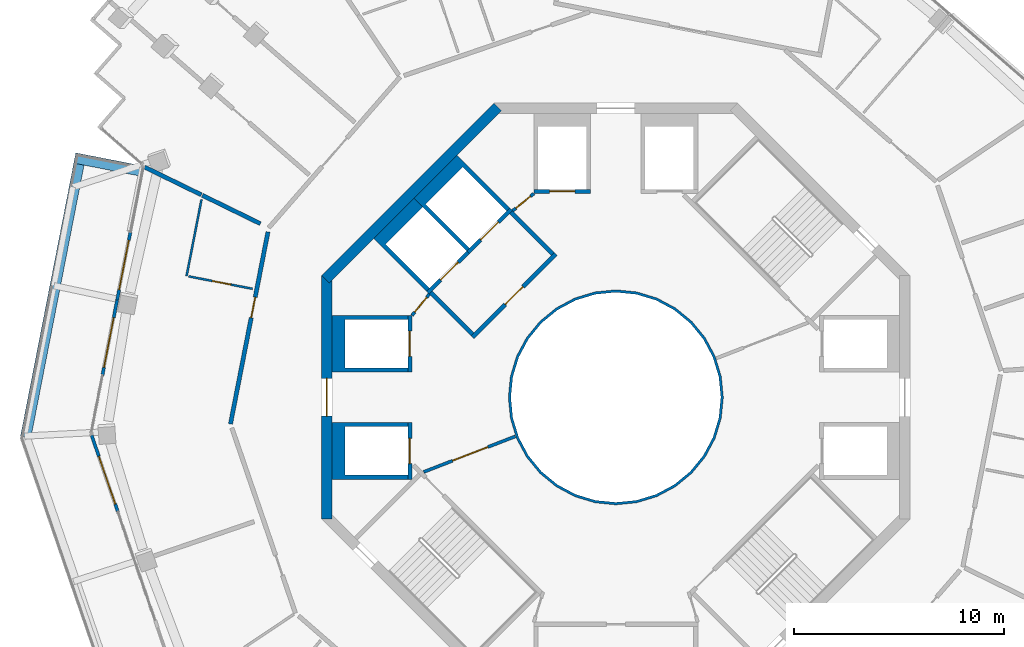
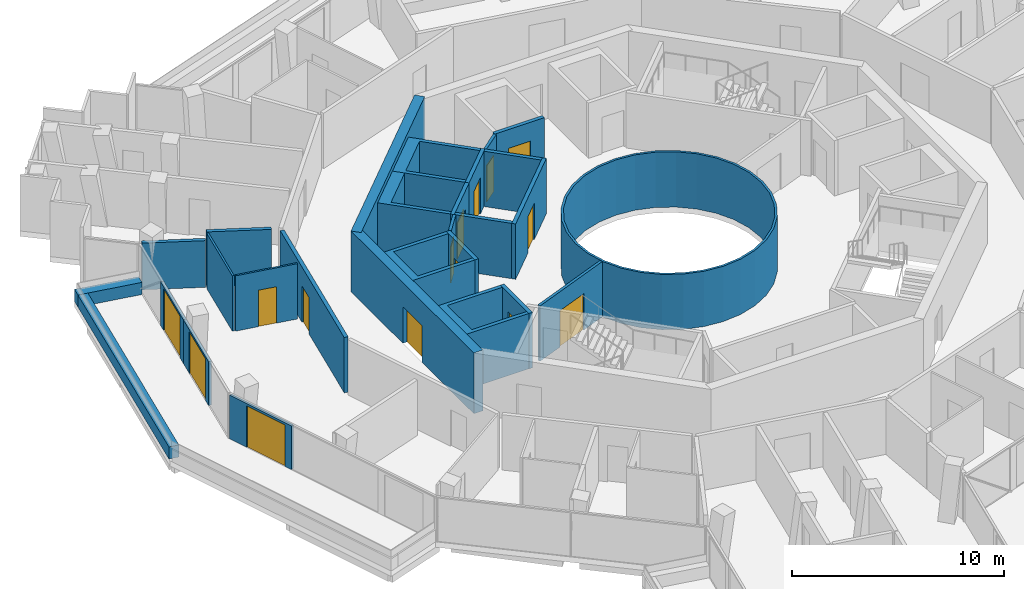
# One storey, part 16 of 22: 28 walls, 15 doors, 15 openings.
"""IFC4 building model written with IfcOpenShell, lengths in metres."""

from ifc_helpers import new_model, si_unit, direction, frame, frame_2d, origin, place, context, subcontext, project, spatial, polyline, rectangle, outline, extrude, material, layer, layer_set, type_object, element, fill, save


model = new_model("IFC4")

# Units and contexts
model_context = context("Model", 3, precision=1e-05, world=origin(), true_north=direction((0.0, 1.0)))
body_context = subcontext(model_context, "Body", "Model", "MODEL_VIEW")
ifc_project = project(units=[si_unit("LENGTHUNIT", "METRE"), si_unit("AREAUNIT", "SQUARE_METRE"), si_unit("VOLUMEUNIT", "CUBIC_METRE"), si_unit("PLANEANGLEUNIT", "RADIAN"), si_unit("MASSUNIT", "GRAM", prefix="KILO")], contexts=[model_context])

# Site, building, storey
site_placement = place(None, origin())
site = spatial("IfcSite", under=ifc_project, at=site_placement, CompositionType="ELEMENT")
building_placement = place(site_placement, origin())
building = spatial("IfcBuilding", under=site, at=building_placement, Name="Verdalira Terraces Hotel", CompositionType="ELEMENT")
storey_placement = place(building_placement, frame((0.0, 0.0, 234.0)))
storey = spatial("IfcBuildingStorey", under=building, at=storey_placement, Name="L57", CompositionType="ELEMENT", Elevation=234.0)

# Walls
ifc_material_1 = material(Name="Fire-resisting glass EI 180", Category="glass")
ifc_layer_1 = layer(ifc_material_1, 0.1201171875)
ifc_layer_set_1 = layer_set([ifc_layer_1], Name="Atrium fire screen 120 mm")
wall_type_1 = type_object("IfcWallType", Name="Atrium fire screen 120 mm", PredefinedType="SOLIDWALL", material=ifc_layer_set_1)
wall_1_placement = place(storey_placement, origin())
element("IfcWall", 1, at=wall_1_placement, inside=storey, type_object=wall_type_1, Name="Atrium fire screen", PredefinedType="SOLIDWALL", context=body_context, shape_type="SweptSolid", body=[
    extrude(outline(polyline([(5.021484, -0.998779), (4.730225, -1.959229), (4.25708, -2.844482), (3.620361, -3.620361), (2.844482, -4.25708), (1.959229, -4.730225), (0.998779, -5.021484), (0.0, -5.120117), (-0.998779, -5.021484), (-1.959229, -4.730225), (-2.844482, -4.25708), (-3.620361, -3.620361), (-4.25708, -2.844482), (-4.730225, -1.959229), (-5.021484, -0.998779), (-5.120117, 0.0), (-5.021484, 0.998779), (-4.730225, 1.959229), (-4.25708, 2.844482), (-3.620361, 3.620361), (-2.844482, 4.25708), (-1.959229, 4.730225), (-0.998779, 5.021484), (0.0, 5.120117), (0.998779, 5.021484), (1.959229, 4.730225), (2.844482, 4.25708), (3.620361, 3.620361), (4.25708, 2.844482), (4.730225, 1.959229), (5.021484, 0.998779), (5.120117, 0.0), (5.021484, -0.998779)]), holes=[polyline([(4.903809, 0.975586), (4.619385, 1.91333), (4.157227, 2.777832), (3.5354, 3.5354), (2.777832, 4.157227), (1.91333, 4.619385), (0.975586, 4.903809), (0.0, 5.0), (-0.975586, 4.903809), (-1.91333, 4.619385), (-2.777832, 4.157227), (-3.5354, 3.5354), (-4.157227, 2.777832), (-4.619385, 1.91333), (-4.903809, 0.975586), (-5.0, 0.0), (-4.903809, -0.975586), (-4.619385, -1.91333), (-4.157227, -2.777832), (-3.5354, -3.5354), (-2.777832, -4.157227), (-1.91333, -4.619385), (-0.975586, -4.903809), (0.0, -5.0), (0.975586, -4.903809), (1.91333, -4.619385), (2.777832, -4.157227), (3.5354, -3.5354), (4.157227, -2.777832), (4.619385, -1.91333), (4.903809, -0.975586), (5.0, 0.0), (4.903809, 0.975586)])]), origin(), (0.0, 0.0, 1.0), 3.189941),
])
ifc_material_2 = material(Name="Concrete C40", Category="concrete")
ifc_layer_2 = layer(ifc_material_2, 0.5)
ifc_layer_set_2 = layer_set([ifc_layer_2], Name="Balcony planter trough with tree")
wall_type_2 = type_object("IfcWallType", Name="Balcony planter trough with tree", PredefinedType="SOLIDWALL", material=ifc_layer_set_2)
wall_2_placement = place(storey_placement, frame((-22.613525, 10.779785, 0.0), z_axis=(0.0, 0.0, 1.0), x_axis=(-0.981497239, 0.191476291, 0.0)))
element("IfcWall", 2, at=wall_2_placement, inside=storey, type_object=wall_type_2, Name="Balcony planter", PredefinedType="SOLIDWALL", context=body_context, shape_type="SweptSolid", body=[
    extrude(rectangle(XDim=3.198975, YDim=0.5, at=frame_2d((1.599609, 0.0))), origin(), (0.0, 0.0, 1.0), 0.699951),
])
wall_3_placement = place(storey_placement, frame((-25.555908, 11.099121, 0.0), z_axis=(0.0, 0.0, 1.0), x_axis=(-0.191494743, -0.981493639, 0.0)))
element("IfcWall", 3, at=wall_3_placement, inside=storey, type_object=wall_type_2, Name="Balcony planter", PredefinedType="SOLIDWALL", context=body_context, shape_type="SweptSolid", body=[
    extrude(rectangle(XDim=13.223389, YDim=0.5, at=frame_2d((6.611816, 0.0))), origin(), (0.0, 0.0, 1.0), 0.699951),
])
ifc_material_3 = material(Name="Moisture-resistant gypsum board partition")
ifc_layer_3 = layer(ifc_material_3, 0.10009765625)
ifc_layer_set_3 = layer_set([ifc_layer_3], Name="Bathroom partition 100 mm")
wall_type_3 = type_object("IfcWallType", Name="Bathroom partition 100 mm", PredefinedType="PARTITIONING", material=ifc_layer_set_3)
wall_4_placement = place(storey_placement, frame((-20.430176, 5.777588, 0.0), z_axis=(0.0, 0.0, 1.0), x_axis=(0.191550626, 0.981482734, 0.0)))
element("IfcWall", 4, at=wall_4_placement, inside=storey, type_object=wall_type_3, Name="Bathroom partition", PredefinedType="PARTITIONING", context=body_context, shape_type="SweptSolid", body=[
    extrude(rectangle(XDim=3.703857, YDim=0.100098, at=frame_2d((1.852051, 0.0))), origin(), (0.0, 0.0, 1.0), 3.189941),
])

# Wall, opening, door
wall_5_placement = place(storey_placement, frame((-20.331787, 5.758301, 0.0), z_axis=(0.0, 0.0, 1.0), x_axis=(0.981499618, -0.191464097, 0.0)))
wall_5 = element("IfcWall", 5, at=wall_5_placement, inside=storey, type_object=wall_type_3, Name="Bathroom partition", PredefinedType="PARTITIONING", context=body_context, shape_type="SweptSolid", body=[
    extrude(rectangle(XDim=3.099854, YDim=0.100098, at=frame_2d((1.549805, 0.0))), origin(), (0.0, 0.0, 1.0), 3.189941),
])
opening_1_placement = place(wall_5_placement, frame((1.149902, 0.0, 0.0)))
opening_1 = element("IfcOpeningElement", 6, at=opening_1_placement, cuts=wall_5, Name="Opening L57-105", PredefinedType="OPENING", context=body_context, shape_type="SweptSolid", body=[
    extrude(rectangle(XDim=0.899902, YDim=2.100098, at=frame_2d((0.449951, 1.050049))), frame((0.0, 0.060059, 0.0), z_axis=(0.0, -1.0, 0.0), x_axis=(1.0, 0.0, 0.0)), (0.0, 0.0, 1.0), 0.120117),
])
ifc_material_4 = material(Name="Timber door", Category="wood")
door_type_1 = type_object("IfcDoorType", Name="Bathroom door 900 x 2100", OperationType="NOTDEFINED", PredefinedType="DOOR", material=ifc_material_4)
door_1_placement = place(opening_1_placement, origin())
door_1 = element("IfcDoor", 7, at=door_1_placement, inside=storey, type_object=door_type_1, Name="Bathroom door 5702", OperationType="SINGLE_SWING_LEFT", OverallHeight=2.10009765625, OverallWidth=0.89990234375, PredefinedType="DOOR", context=body_context, shape_type="SweptSolid", body=[
    extrude(rectangle(XDim=0.899902, YDim=2.100098, at=frame_2d((0.449951, 1.050049))), frame((0.0, 0.024902, 0.0), z_axis=(0.0, -1.0, 0.0), x_axis=(1.0, 0.0, 0.0)), (0.0, 0.0, 1.0), 0.050049),
])
fill(opening_1, door_1)

ifc_material_5 = material(Name="Concrete C50", Category="concrete")
ifc_layer_4 = layer(ifc_material_5, 0.199951171875)
ifc_layer_set_4 = layer_set([ifc_layer_4], Name="Core RC wall 200 C50")
wall_type_4 = type_object("IfcWallType", Name="Core RC wall 200 C50", PredefinedType="SOLIDWALL", material=ifc_layer_set_4)
wall_6_placement = place(storey_placement, frame((-1.199951, 9.800049, 0.0), z_axis=(0.0, 0.0, 1.0), x_axis=(-1.0, 0.0, 0.0)))
wall_6 = element("IfcWall", 8, at=wall_6_placement, inside=storey, type_object=wall_type_4, Name="L57 shaft front wall N2", PredefinedType="SOLIDWALL", context=body_context, shape_type="SweptSolid", body=[
    extrude(rectangle(XDim=2.699951, YDim=0.199951, at=frame_2d((1.350098, 0.0))), origin(), (0.0, 0.0, 1.0), 3.189941),
])
opening_2_placement = place(wall_6_placement, frame((0.75, 0.0, 0.0)))
opening_2 = element("IfcOpeningElement", 9, at=opening_2_placement, cuts=wall_6, Name="Opening LD-L57-805", PredefinedType="OPENING", context=body_context, shape_type="SweptSolid", body=[
    extrude(rectangle(XDim=1.199951, YDim=2.100098, at=frame_2d((0.600098, 1.050049))), frame((0.0, 0.109863, 0.0), z_axis=(0.0, -1.0, 0.0), x_axis=(1.0, 0.0, 0.0)), (0.0, 0.0, 1.0), 0.219971),
])
ifc_material_6 = material(Name="Stainless steel", Category="steel")
door_type_2 = type_object("IfcDoorType", Name="Landing door 1200 x 2100", OperationType="NOTDEFINED", PredefinedType="DOOR", material=ifc_material_6)
door_2_placement = place(opening_2_placement, origin())
door_2 = element("IfcDoor", 10, at=door_2_placement, inside=storey, type_object=door_type_2, Name="Lift landing door HR4 L57", OperationType="DOUBLE_DOOR_SLIDING", OverallHeight=2.10009765625, OverallWidth=1.199951171875, PredefinedType="DOOR", context=body_context, shape_type="SweptSolid", body=[
    extrude(rectangle(XDim=1.199951, YDim=2.100098, at=frame_2d((0.600098, 1.050049))), frame((0.0, 0.024902, 0.0), z_axis=(0.0, -1.0, 0.0), x_axis=(1.0, 0.0, 0.0)), (0.0, 0.0, 1.0), 0.050049),
])
fill(opening_2, door_2)

# Wall
wall_7_placement = place(storey_placement, origin())
element("IfcWall", 11, at=wall_7_placement, inside=storey, type_object=wall_type_4, Name="L57 shaft wall W1", PredefinedType="SOLIDWALL", context=body_context, shape_type="SweptSolid", body=[
    extrude(outline(polyline([(-13.5, 3.899902), (-9.899902, 3.899902), (-9.899902, 3.699951), (-12.899902, 3.699951), (-12.899902, 1.399902), (-9.899902, 1.399902), (-9.899902, 1.199951), (-13.5, 1.199951), (-13.5, 3.899902)])), origin(), (0.0, 0.0, 1.0), 3.189941),
])

# Wall, opening, door
wall_8_placement = place(storey_placement, frame((-9.800049, 1.199951, 0.0), z_axis=(0.0, 0.0, 1.0), x_axis=(0.0, 1.0, 0.0)))
wall_8 = element("IfcWall", 12, at=wall_8_placement, inside=storey, type_object=wall_type_4, Name="L57 shaft front wall W1", PredefinedType="SOLIDWALL", context=body_context, shape_type="SweptSolid", body=[
    extrude(rectangle(XDim=2.699951, YDim=0.199951, at=frame_2d((1.350098, 0.0))), origin(), (0.0, 0.0, 1.0), 3.189941),
])
opening_3_placement = place(wall_8_placement, frame((0.75, 0.0, 0.0)))
opening_3 = element("IfcOpeningElement", 13, at=opening_3_placement, cuts=wall_8, Name="Opening LD-L57-806", PredefinedType="OPENING", context=body_context, shape_type="SweptSolid", body=[
    extrude(rectangle(XDim=1.199951, YDim=2.100098, at=frame_2d((0.600098, 1.050049))), frame((0.0, 0.109863, 0.0), z_axis=(0.0, -1.0, 0.0), x_axis=(1.0, 0.0, 0.0)), (0.0, 0.0, 1.0), 0.219971),
])
door_3_placement = place(opening_3_placement, origin())
door_3 = element("IfcDoor", 14, at=door_3_placement, inside=storey, type_object=door_type_2, Name="Lift landing door HR5 L57", OperationType="DOUBLE_DOOR_SLIDING", OverallHeight=2.10009765625, OverallWidth=1.199951171875, PredefinedType="DOOR", context=body_context, shape_type="SweptSolid", body=[
    extrude(rectangle(XDim=1.199951, YDim=2.100098, at=frame_2d((0.600098, 1.050049))), frame((0.0, 0.024902, 0.0), z_axis=(0.0, -1.0, 0.0), x_axis=(1.0, 0.0, 0.0)), (0.0, 0.0, 1.0), 0.050049),
])
fill(opening_3, door_3)

# Wall
wall_9_placement = place(storey_placement, origin())
element("IfcWall", 15, at=wall_9_placement, inside=storey, type_object=wall_type_4, Name="L57 shaft wall W2", PredefinedType="SOLIDWALL", context=body_context, shape_type="SweptSolid", body=[
    extrude(outline(polyline([(-13.5, -3.899902), (-13.5, -1.199951), (-9.899902, -1.199951), (-9.899902, -1.399902), (-12.899902, -1.399902), (-12.899902, -3.699951), (-9.899902, -3.699951), (-9.899902, -3.899902), (-13.5, -3.899902)])), origin(), (0.0, 0.0, 1.0), 3.189941),
])

# Wall, opening, door
wall_10_placement = place(storey_placement, frame((-9.800049, -1.199951, 0.0), z_axis=(0.0, 0.0, 1.0), x_axis=(0.0, -1.0, 0.0)))
wall_10 = element("IfcWall", 16, at=wall_10_placement, inside=storey, type_object=wall_type_4, Name="L57 shaft front wall W2", PredefinedType="SOLIDWALL", context=body_context, shape_type="SweptSolid", body=[
    extrude(rectangle(XDim=2.699951, YDim=0.199951, at=frame_2d((1.350098, 0.0))), origin(), (0.0, 0.0, 1.0), 3.189941),
])
opening_4_placement = place(wall_10_placement, frame((0.75, 0.0, 0.0)))
opening_4 = element("IfcOpeningElement", 17, at=opening_4_placement, cuts=wall_10, Name="Opening LD-L57-807", PredefinedType="OPENING", context=body_context, shape_type="SweptSolid", body=[
    extrude(rectangle(XDim=1.199951, YDim=2.100098, at=frame_2d((0.600098, 1.050049))), frame((0.0, 0.109863, 0.0), z_axis=(0.0, -1.0, 0.0), x_axis=(1.0, 0.0, 0.0)), (0.0, 0.0, 1.0), 0.219971),
])
door_4_placement = place(opening_4_placement, origin())
door_4 = element("IfcDoor", 18, at=door_4_placement, inside=storey, type_object=door_type_2, Name="Lift landing door HR6 L57", OperationType="DOUBLE_DOOR_SLIDING", OverallHeight=2.10009765625, OverallWidth=1.199951171875, PredefinedType="DOOR", context=body_context, shape_type="SweptSolid", body=[
    extrude(rectangle(XDim=1.199951, YDim=2.100098, at=frame_2d((0.600098, 1.050049))), frame((0.0, 0.024902, 0.0), z_axis=(0.0, -1.0, 0.0), x_axis=(1.0, 0.0, 0.0)), (0.0, 0.0, 1.0), 0.050049),
])
fill(opening_4, door_4)

# Wall
wall_11_placement = place(storey_placement, origin())
element("IfcWall", 19, at=wall_11_placement, inside=storey, type_object=wall_type_4, Name="L57 shaft wall F1", PredefinedType="SOLIDWALL", context=body_context, shape_type="SweptSolid", body=[
    extrude(outline(polyline([(-9.616699, 9.475098), (-7.565918, 11.525879), (-5.055908, 9.015625), (-5.197266, 8.874268), (-7.283203, 10.960205), (-9.051025, 9.192383), (-6.965088, 7.106445), (-7.106445, 6.965088), (-9.616699, 9.475098)])), origin(), (0.0, 0.0, 1.0), 3.189941),
])

# Wall, opening, door
wall_12_placement = place(storey_placement, frame((-4.985107, 8.944824, 0.0), z_axis=(0.0, 0.0, 1.0), x_axis=(-0.707106781, -0.707106781, 0.0)))
wall_12 = element("IfcWall", 20, at=wall_12_placement, inside=storey, type_object=wall_type_4, Name="L57 shaft front wall F1", PredefinedType="SOLIDWALL", context=body_context, shape_type="SweptSolid", body=[
    extrude(rectangle(XDim=2.899902, YDim=0.199951, at=frame_2d((1.449951, 0.0))), origin(), (0.0, 0.0, 1.0), 3.189941),
])
opening_5_placement = place(wall_12_placement, frame((0.850098, 0.0, 0.0)))
opening_5 = element("IfcOpeningElement", 21, at=opening_5_placement, cuts=wall_12, Name="Opening LD-L57-808", PredefinedType="OPENING", context=body_context, shape_type="SweptSolid", body=[
    extrude(rectangle(XDim=1.199951, YDim=2.100098, at=frame_2d((0.600098, 1.050049))), frame((0.0, 0.109863, 0.0), z_axis=(0.0, -1.0, 0.0), x_axis=(1.0, 0.0, 0.0)), (0.0, 0.0, 1.0), 0.219971),
])
door_5_placement = place(opening_5_placement, origin())
door_5 = element("IfcDoor", 22, at=door_5_placement, inside=storey, type_object=door_type_2, Name="Lift landing door LF11 L57", OperationType="DOUBLE_DOOR_SLIDING", OverallHeight=2.10009765625, OverallWidth=1.199951171875, PredefinedType="DOOR", context=body_context, shape_type="SweptSolid", body=[
    extrude(rectangle(XDim=1.199951, YDim=2.100098, at=frame_2d((0.600098, 1.050049))), frame((0.0, 0.024902, 0.0), z_axis=(0.0, -1.0, 0.0), x_axis=(1.0, 0.0, 0.0)), (0.0, 0.0, 1.0), 0.050049),
])
fill(opening_5, door_5)

# Wall
wall_13_placement = place(storey_placement, origin())
element("IfcWall", 23, at=wall_13_placement, inside=storey, type_object=wall_type_4, Name="L57 shaft wall F2", PredefinedType="SOLIDWALL", context=body_context, shape_type="SweptSolid", body=[
    extrude(outline(polyline([(-11.525879, 7.565918), (-9.616699, 9.475098), (-9.192383, 9.051025), (-10.960205, 7.283203), (-8.874268, 5.197266), (-9.015625, 5.055908), (-11.525879, 7.565918)])), origin(), (0.0, 0.0, 1.0), 3.189941),
])

# Wall, opening, door
wall_14_placement = place(storey_placement, frame((-7.035645, 6.894287, 0.0), z_axis=(0.0, 0.0, 1.0), x_axis=(-0.707106781, -0.707106781, 0.0)))
wall_14 = element("IfcWall", 24, at=wall_14_placement, inside=storey, type_object=wall_type_4, Name="L57 shaft front wall F2", PredefinedType="SOLIDWALL", context=body_context, shape_type="SweptSolid", body=[
    extrude(rectangle(XDim=2.699951, YDim=0.199951, at=frame_2d((1.350098, 0.0))), origin(), (0.0, 0.0, 1.0), 3.189941),
])
opening_6_placement = place(wall_14_placement, frame((0.649902, 0.0, 0.0)))
opening_6 = element("IfcOpeningElement", 25, at=opening_6_placement, cuts=wall_14, Name="Opening LD-L57-809", PredefinedType="OPENING", context=body_context, shape_type="SweptSolid", body=[
    extrude(rectangle(XDim=1.199951, YDim=2.100098, at=frame_2d((0.600098, 1.050049))), frame((0.0, 0.109863, 0.0), z_axis=(0.0, -1.0, 0.0), x_axis=(1.0, 0.0, 0.0)), (0.0, 0.0, 1.0), 0.219971),
])
door_6_placement = place(opening_6_placement, origin())
door_6 = element("IfcDoor", 26, at=door_6_placement, inside=storey, type_object=door_type_2, Name="Lift landing door LF12 L57", OperationType="DOUBLE_DOOR_SLIDING", OverallHeight=2.10009765625, OverallWidth=1.199951171875, PredefinedType="DOOR", context=body_context, shape_type="SweptSolid", body=[
    extrude(rectangle(XDim=1.199951, YDim=2.100098, at=frame_2d((0.600098, 1.050049))), frame((0.0, 0.024902, 0.0), z_axis=(0.0, -1.0, 0.0), x_axis=(1.0, 0.0, 0.0)), (0.0, 0.0, 1.0), 0.050049),
])
fill(opening_6, door_6)

wall_15_placement = place(storey_placement, frame((-2.86377, 6.823486, 0.0), z_axis=(0.0, 0.0, 1.0), x_axis=(-0.707106781, -0.707106781, 0.0)))
wall_15 = element("IfcWall", 27, at=wall_15_placement, inside=storey, type_object=wall_type_4, Name="L57 fire lobby wall", PredefinedType="SOLIDWALL", context=body_context, shape_type="SweptSolid", body=[
    extrude(rectangle(XDim=5.599854, YDim=0.199951, at=frame_2d((2.799805, 0.0))), origin(), (0.0, 0.0, 1.0), 3.189941),
])
opening_7_placement = place(wall_15_placement, frame((2.199951, 0.0, 0.0)))
opening_7 = element("IfcOpeningElement", 28, at=opening_7_placement, cuts=wall_15, Name="Opening L57-819", PredefinedType="OPENING", context=body_context, shape_type="SweptSolid", body=[
    extrude(rectangle(XDim=1.199951, YDim=2.100098, at=frame_2d((0.600098, 1.050049))), frame((0.0, 0.109863, 0.0), z_axis=(0.0, -1.0, 0.0), x_axis=(1.0, 0.0, 0.0)), (0.0, 0.0, 1.0), 0.219971),
])
ifc_material_7 = material(Name="Steel fire door", Category="steel")
door_type_3 = type_object("IfcDoorType", Name="Lobby door 1200 x 2100", OperationType="NOTDEFINED", PredefinedType="DOOR", material=ifc_material_7)
door_7_placement = place(opening_7_placement, origin())
door_7 = element("IfcDoor", 29, at=door_7_placement, inside=storey, type_object=door_type_3, Name="Fire lobby door L57", OperationType="SINGLE_SWING_LEFT", OverallHeight=2.10009765625, OverallWidth=1.199951171875, PredefinedType="DOOR", context=body_context, shape_type="SweptSolid", body=[
    extrude(rectangle(XDim=1.199951, YDim=2.100098, at=frame_2d((0.600098, 1.050049))), frame((0.0, 0.024902, 0.0), z_axis=(0.0, -1.0, 0.0), x_axis=(1.0, 0.0, 0.0)), (0.0, 0.0, 1.0), 0.050049),
])
fill(opening_7, door_7)

# Walls
for number, where, z_axis, x_axis, name in (
    (30, (-3.005127, 6.823486, 0.0), (0.0, 0.0, 1.0), (-0.707106781, 0.707106781, 0.0), "L57 fire lobby wall"),
    (31, (-6.823486, 3.005127, 0.0), (0.0, 0.0, 1.0), (-0.707106781, 0.707106781, 0.0), "L57 fire lobby wall"),
):
    element("IfcWall", number, at=place(storey_placement, frame(where, z_axis=z_axis, x_axis=x_axis)), inside=storey, type_object=wall_type_4, Name=name, PredefinedType="SOLIDWALL", context=body_context, shape_type="SweptSolid", body=[
        extrude(rectangle(XDim=2.800049, YDim=0.199951, at=frame_2d((1.399902, 0.0))), origin(), (0.0, 0.0, 1.0), 3.189941),
    ])

# Wall, opening, door
ifc_material_8 = material(Name="Gypsum board partition")
ifc_layer_5 = layer(ifc_material_8, 0.14990234375)
ifc_layer_set_5 = layer_set([ifc_layer_5], Name="Core partition 150 mm")
wall_type_5 = type_object("IfcWallType", Name="Core partition 150 mm", PredefinedType="PARTITIONING", material=ifc_layer_set_5)
wall_16_placement = place(storey_placement, frame((-3.899902, 9.699951, 0.0), z_axis=(0.0, 0.0, 1.0), x_axis=(-0.775559878, -0.631274009, 0.0)))
wall_16 = element("IfcWall", 32, at=wall_16_placement, inside=storey, type_object=wall_type_5, Name="Room partition L57", PredefinedType="PARTITIONING", context=body_context, shape_type="SweptSolid", body=[
    extrude(rectangle(XDim=1.307861, YDim=0.149902, at=frame_2d((0.653809, 0.0))), origin(), (0.0, 0.0, 1.0), 3.189941),
])
opening_8_placement = place(wall_16_placement, frame((0.204102, 0.0, 0.0)))
opening_8 = element("IfcOpeningElement", 33, at=opening_8_placement, cuts=wall_16, Name="Opening L57-820", PredefinedType="OPENING", context=body_context, shape_type="SweptSolid", body=[
    extrude(rectangle(XDim=0.899902, YDim=2.100098, at=frame_2d((0.449951, 1.050049))), frame((0.0, 0.084961, 0.0), z_axis=(0.0, -1.0, 0.0), x_axis=(1.0, 0.0, 0.0)), (0.0, 0.0, 1.0), 0.169922),
])
ifc_material_9 = material(Name="Steel fire door", Category="steel")
door_type_4 = type_object("IfcDoorType", Name="Core room door 900 x 2100", OperationType="NOTDEFINED", PredefinedType="DOOR", material=ifc_material_9)
door_8_placement = place(opening_8_placement, origin())
door_8 = element("IfcDoor", 34, at=door_8_placement, inside=storey, type_object=door_type_4, Name="Door L57 room2", OperationType="SINGLE_SWING_LEFT", OverallHeight=2.10009765625, OverallWidth=0.89990234375, PredefinedType="DOOR", context=body_context, shape_type="SweptSolid", body=[
    extrude(rectangle(XDim=0.899902, YDim=2.100098, at=frame_2d((0.449951, 1.050049))), frame((0.0, 0.024902, 0.0), z_axis=(0.0, -1.0, 0.0), x_axis=(1.0, 0.0, 0.0)), (0.0, 0.0, 1.0), 0.050049),
])
fill(opening_8, door_8)

wall_17_placement = place(storey_placement, frame((-8.874268, 4.914307, 0.0), z_axis=(0.0, 0.0, 1.0), x_axis=(-0.631274009, -0.775559878, 0.0)))
wall_17 = element("IfcWall", 35, at=wall_17_placement, inside=storey, type_object=wall_type_5, Name="Room partition L57", PredefinedType="PARTITIONING", context=body_context, shape_type="SweptSolid", body=[
    extrude(rectangle(XDim=1.307861, YDim=0.149902, at=frame_2d((0.653809, 0.0))), origin(), (0.0, 0.0, 1.0), 3.189941),
])
opening_9_placement = place(wall_17_placement, frame((0.204102, 0.0, 0.0)))
opening_9 = element("IfcOpeningElement", 36, at=opening_9_placement, cuts=wall_17, Name="Opening L57-821", PredefinedType="OPENING", context=body_context, shape_type="SweptSolid", body=[
    extrude(rectangle(XDim=0.899902, YDim=2.100098, at=frame_2d((0.449951, 1.050049))), frame((0.0, 0.084961, 0.0), z_axis=(0.0, -1.0, 0.0), x_axis=(1.0, 0.0, 0.0)), (0.0, 0.0, 1.0), 0.169922),
])
door_9_placement = place(opening_9_placement, origin())
door_9 = element("IfcDoor", 37, at=door_9_placement, inside=storey, type_object=door_type_4, Name="Door L57 room3", OperationType="SINGLE_SWING_LEFT", OverallHeight=2.10009765625, OverallWidth=0.89990234375, PredefinedType="DOOR", context=body_context, shape_type="SweptSolid", body=[
    extrude(rectangle(XDim=0.899902, YDim=2.100098, at=frame_2d((0.449951, 1.050049))), frame((0.0, 0.024902, 0.0), z_axis=(0.0, -1.0, 0.0), x_axis=(1.0, 0.0, 0.0)), (0.0, 0.0, 1.0), 0.050049),
])
fill(opening_9, door_9)

wall_18_placement = place(storey_placement, frame((-4.781982, -1.857178, 0.0), z_axis=(0.0, 0.0, 1.0), x_axis=(-0.932155279, -0.362058746, 0.0)))
wall_18 = element("IfcWall", 38, at=wall_18_placement, inside=storey, type_object=wall_type_5, Name="Gallery fire partition L57", PredefinedType="PARTITIONING", context=body_context, shape_type="SweptSolid", body=[
    extrude(rectangle(XDim=4.682373, YDim=0.149902, at=frame_2d((2.341309, 0.0))), origin(), (0.0, 0.0, 1.0), 3.189941),
])
opening_10_placement = place(wall_18_placement, frame((1.399902, 0.0, 0.0)))
opening_10 = element("IfcOpeningElement", 39, at=opening_10_placement, cuts=wall_18, Name="Opening L57-825", PredefinedType="OPENING", context=body_context, shape_type="SweptSolid", body=[
    extrude(rectangle(XDim=1.800049, YDim=2.100098, at=frame_2d((0.899902, 1.050049))), frame((0.0, 0.084961, 0.0), z_axis=(0.0, -1.0, 0.0), x_axis=(1.0, 0.0, 0.0)), (0.0, 0.0, 1.0), 0.169922),
])
ifc_material_10 = material(Name="Steel fire door", Category="steel")
door_type_5 = type_object("IfcDoorType", Name="Gallery fire door pair 1800 x 2100", OperationType="NOTDEFINED", PredefinedType="DOOR", material=ifc_material_10)
door_10_placement = place(opening_10_placement, origin())
door_10 = element("IfcDoor", 40, at=door_10_placement, inside=storey, type_object=door_type_5, Name="Door L57 split4", OperationType="DOUBLE_DOOR_SINGLE_SWING", OverallHeight=2.10009765625, OverallWidth=1.800048828125, PredefinedType="DOOR", context=body_context, shape_type="SweptSolid", body=[
    extrude(rectangle(XDim=1.800049, YDim=2.100098, at=frame_2d((0.899902, 1.050049))), frame((0.0, 0.024902, 0.0), z_axis=(0.0, -1.0, 0.0), x_axis=(1.0, 0.0, 0.0)), (0.0, 0.0, 1.0), 0.050049),
])
fill(opening_10, door_10)

# Wall
ifc_material_11 = material(Name="Concrete C50", Category="concrete")
ifc_layer_6 = layer(ifc_material_11, 0.5)
ifc_layer_set_6 = layer_set([ifc_layer_6], Name="Core wall 500 C50")
wall_type_6 = type_object("IfcWallType", Name="Core wall 500 C50", PredefinedType="SHEAR", material=ifc_layer_set_6)
wall_19_placement = place(storey_placement, frame((-5.622314, 13.823242, 0.0), z_axis=(0.0, 0.0, 1.0), x_axis=(-0.707106781, -0.707106781, 0.0)))
element("IfcWall", 41, at=wall_19_placement, inside=storey, type_object=wall_type_6, Name="Core wall CW-L57-4", PredefinedType="SHEAR", context=body_context, shape_type="SweptSolid", body=[
    extrude(rectangle(XDim=11.5979, YDim=0.5, at=frame_2d((5.798828, 0.0))), origin(), (0.0, 0.0, 1.0), 3.5),
])

# Wall, opening, door
wall_20_placement = place(storey_placement, frame((-13.75, 5.799072, 0.0), z_axis=(0.0, 0.0, 1.0), x_axis=(0.0, -1.0, 0.0)))
wall_20 = element("IfcWall", 42, at=wall_20_placement, inside=storey, type_object=wall_type_6, Name="Core wall CW-L57-5", PredefinedType="SHEAR", context=body_context, shape_type="SweptSolid", body=[
    extrude(rectangle(XDim=11.598145, YDim=0.5, at=frame_2d((5.799072, 0.0))), origin(), (0.0, 0.0, 1.0), 3.5),
])
opening_11_placement = place(wall_20_placement, frame((4.898926, 0.0, 0.0)))
opening_11 = element("IfcOpeningElement", 43, at=opening_11_placement, cuts=wall_20, Name="Opening L57-815", PredefinedType="OPENING", context=body_context, shape_type="SweptSolid", body=[
    extrude(rectangle(XDim=1.800049, YDim=2.100098, at=frame_2d((0.899902, 1.050049))), frame((0.0, 0.26001, 0.0), z_axis=(0.0, -1.0, 0.0), x_axis=(1.0, 0.0, 0.0)), (0.0, 0.0, 1.0), 0.52002),
])
ifc_material_12 = material(Name="Steel fire door", Category="steel")
door_type_6 = type_object("IfcDoorType", Name="Core entry door pair 1800 x 2100", OperationType="NOTDEFINED", PredefinedType="DOOR", material=ifc_material_12)
door_11_placement = place(opening_11_placement, origin())
door_11 = element("IfcDoor", 44, at=door_11_placement, inside=storey, type_object=door_type_6, Name="Core entry door L57 4", OperationType="DOUBLE_DOOR_SINGLE_SWING", OverallHeight=2.10009765625, OverallWidth=1.800048828125, PredefinedType="DOOR", context=body_context, shape_type="SweptSolid", body=[
    extrude(rectangle(XDim=1.800049, YDim=2.100098, at=frame_2d((0.899902, 1.050049))), frame((0.0, 0.024902, 0.0), z_axis=(0.0, -1.0, 0.0), x_axis=(1.0, 0.0, 0.0)), (0.0, 0.0, 1.0), 0.050049),
])
fill(opening_11, door_11)

# Walls
ifc_material_13 = material(Name="Fire-rated gypsum board wall")
ifc_layer_7 = layer(ifc_material_13, 0.199951171875)
ifc_layer_set_7 = layer_set([ifc_layer_7], Name="Demising wall 200 mm")
wall_type_7 = type_object("IfcWallType", Name="Demising wall 200 mm", PredefinedType="SOLIDWALL", material=ifc_layer_set_7)
wall_21_placement = place(storey_placement, frame((-16.92041, 8.26709, 0.0), z_axis=(0.0, 0.0, 1.0), x_axis=(-0.898471376, 0.439032102, 0.0)))
element("IfcWall", 45, at=wall_21_placement, inside=storey, type_object=wall_type_7, Name="Demising wall", PredefinedType="SOLIDWALL", context=body_context, shape_type="SweptSolid", body=[
    extrude(rectangle(XDim=3.074707, YDim=0.199951, at=frame_2d((1.537354, 0.0))), origin(), (0.0, 0.0, 1.0), 3.189941),
])
ifc_material_14 = material(Name="Fire-rated gypsum board wall")
ifc_layer_8 = layer(ifc_material_14, 0.199951171875)
ifc_layer_set_8 = layer_set([ifc_layer_8], Name="Demising wall 200 mm to beam soffit")
wall_type_8 = type_object("IfcWallType", Name="Demising wall 200 mm to beam soffit", PredefinedType="SOLIDWALL", material=ifc_layer_set_8)
wall_22_placement = place(storey_placement, frame((-19.724121, 9.637207, 0.0), z_axis=(0.0, 0.0, 1.0), x_axis=(-0.898491673, 0.438990563, 0.0)))
element("IfcWall", 46, at=wall_22_placement, inside=storey, type_object=wall_type_8, Name="Demising wall", PredefinedType="SOLIDWALL", context=body_context, shape_type="SweptSolid", body=[
    extrude(rectangle(XDim=3.011475, YDim=0.199951, at=frame_2d((1.505859, 0.0))), origin(), (0.0, 0.0, 1.0), 2.689941),
])

# Wall, opening, door
ifc_material_15 = material(Name="Fire-rated gypsum board wall")
ifc_layer_9 = layer(ifc_material_15, 0.199951171875)
ifc_layer_set_9 = layer_set([ifc_layer_9], Name="Guest corridor wall 200 mm")
wall_type_9 = type_object("IfcWallType", Name="Guest corridor wall 200 mm", PredefinedType="SOLIDWALL", material=ifc_layer_set_9)
wall_23_placement = place(storey_placement, frame((-18.34082, -1.269043, 0.0), z_axis=(0.0, 0.0, 1.0), x_axis=(0.191492503, 0.981494076, 0.0)))
wall_23 = element("IfcWall", 47, at=wall_23_placement, inside=storey, type_object=wall_type_9, Name="Guest corridor wall", PredefinedType="SOLIDWALL", context=body_context, shape_type="SweptSolid", body=[
    extrude(rectangle(XDim=9.315918, YDim=0.199951, at=frame_2d((4.657959, 0.0))), origin(), (0.0, 0.0, 1.0), 3.189941),
])
opening_12_placement = place(wall_23_placement, frame((5.149902, 0.0, 0.0)))
opening_12 = element("IfcOpeningElement", 48, at=opening_12_placement, cuts=wall_23, Name="Opening L57-104", PredefinedType="OPENING", context=body_context, shape_type="SweptSolid", body=[
    extrude(rectangle(XDim=1.0, YDim=2.100098, at=frame_2d((0.5, 1.050049))), frame((0.0, 0.109863, 0.0), z_axis=(0.0, -1.0, 0.0), x_axis=(1.0, 0.0, 0.0)), (0.0, 0.0, 1.0), 0.219971),
])
ifc_material_16 = material(Name="Timber fire door", Category="wood")
door_type_7 = type_object("IfcDoorType", Name="Guest entry door 1000 x 2100", OperationType="NOTDEFINED", PredefinedType="DOOR", material=ifc_material_16)
door_12_placement = place(opening_12_placement, origin())
door_12 = element("IfcDoor", 49, at=door_12_placement, inside=storey, type_object=door_type_7, Name="Guest entry door 5702", OperationType="SINGLE_SWING_LEFT", OverallHeight=2.10009765625, OverallWidth=1.0, PredefinedType="DOOR", context=body_context, shape_type="SweptSolid", body=[
    extrude(rectangle(XDim=1.0, YDim=2.100098, at=frame_2d((0.5, 1.050049))), frame((0.0, 0.024902, 0.0), z_axis=(0.0, -1.0, 0.0), x_axis=(1.0, 0.0, 0.0)), (0.0, 0.0, 1.0), 0.050049),
])
fill(opening_12, door_12)

ifc_material_17 = material(Name="Terracotta cladding", Category="masonry")
ifc_layer_10 = layer(ifc_material_17, 0.14990234375)
ifc_layer_set_10 = layer_set([ifc_layer_10], Name="Terracotta door pier 150")
wall_type_10 = type_object("IfcWallType", Name="Terracotta door pier 150", PredefinedType="SOLIDWALL", material=ifc_layer_set_10)
wall_24_placement = place(storey_placement, frame((-23.10376, 7.869873, 0.0), z_axis=(0.0, 0.0, 1.0), x_axis=(-0.191532956, -0.981486183, 0.0)))
wall_24 = element("IfcWall", 50, at=wall_24_placement, inside=storey, type_object=wall_type_10, Name="Terracotta door pier", PredefinedType="SOLIDWALL", context=body_context, shape_type="SweptSolid", body=[
    extrude(rectangle(XDim=3.300049, YDim=0.149902, at=frame_2d((1.649902, 0.0))), origin(), (0.0, 0.0, 1.0), 2.524902),
])
opening_13_placement = place(wall_24_placement, frame((0.399902, 0.0, 0.0)))
opening_13 = element("IfcOpeningElement", 51, at=opening_13_placement, cuts=wall_24, Name="Opening L57-B01", PredefinedType="OPENING", context=body_context, shape_type="SweptSolid", body=[
    extrude(rectangle(XDim=2.399902, YDim=2.399902, at=frame_2d((1.199951, 1.199951))), frame((0.0, 0.084961, 0.0), z_axis=(0.0, -1.0, 0.0), x_axis=(1.0, 0.0, 0.0)), (0.0, 0.0, 1.0), 0.169922),
])
ifc_material_18 = material(Name="Clear glass", Category="glass")
door_type_8 = type_object("IfcDoorType", Name="Balcony sliding door 2400x2400", OperationType="NOTDEFINED", PredefinedType="DOOR", material=ifc_material_18)
door_13_placement = place(opening_13_placement, origin())
door_13 = element("IfcDoor", 52, at=door_13_placement, inside=storey, type_object=door_type_8, Name="Balcony sliding door", OperationType="SLIDING_TO_RIGHT", OverallHeight=2.39990234375, OverallWidth=2.39990234375, PredefinedType="DOOR", context=body_context, shape_type="SweptSolid", body=[
    extrude(rectangle(XDim=2.399902, YDim=2.399902, at=frame_2d((1.199951, 1.199951))), frame((0.0, 0.024902, 0.0), z_axis=(0.0, -1.0, 0.0), x_axis=(1.0, 0.0, 0.0)), (0.0, 0.0, 1.0), 0.050049),
])
fill(opening_13, door_13)

wall_25_placement = place(storey_placement, frame((-23.73584, 4.630859, 0.0), z_axis=(0.0, 0.0, 1.0), x_axis=(-0.191510359, -0.981490592, 0.0)))
wall_25 = element("IfcWall", 53, at=wall_25_placement, inside=storey, type_object=wall_type_10, Name="Terracotta door pier", PredefinedType="SOLIDWALL", context=body_context, shape_type="SweptSolid", body=[
    extrude(rectangle(XDim=3.661377, YDim=0.149902, at=frame_2d((1.830566, 0.0))), origin(), (0.0, 0.0, 1.0), 2.524902),
])
opening_14_placement = place(wall_25_placement, frame((0.861328, 0.0, 0.0)))
opening_14 = element("IfcOpeningElement", 54, at=opening_14_placement, cuts=wall_25, Name="Opening L57-B02", PredefinedType="OPENING", context=body_context, shape_type="SweptSolid", body=[
    extrude(rectangle(XDim=2.399902, YDim=2.399902, at=frame_2d((1.199951, 1.199951))), frame((0.0, 0.084961, 0.0), z_axis=(0.0, -1.0, 0.0), x_axis=(1.0, 0.0, 0.0)), (0.0, 0.0, 1.0), 0.169922),
])
door_14_placement = place(opening_14_placement, origin())
door_14 = element("IfcDoor", 55, at=door_14_placement, inside=storey, type_object=door_type_8, Name="Balcony sliding door", OperationType="SLIDING_TO_LEFT", OverallHeight=2.39990234375, OverallWidth=2.39990234375, PredefinedType="DOOR", context=body_context, shape_type="SweptSolid", body=[
    extrude(rectangle(XDim=2.399902, YDim=2.399902, at=frame_2d((1.199951, 1.199951))), frame((0.0, 0.024902, 0.0), z_axis=(0.0, -1.0, 0.0), x_axis=(1.0, 0.0, 0.0)), (0.0, 0.0, 1.0), 0.050049),
])
fill(opening_14, door_14)

wall_26_placement = place(storey_placement, frame((-24.950684, -1.804688, 0.0), z_axis=(0.0, 0.0, 1.0), x_axis=(0.324897842, -0.945749117, 0.0)))
wall_26 = element("IfcWall", 56, at=wall_26_placement, inside=storey, type_object=wall_type_10, Name="Terracotta door pier", PredefinedType="SOLIDWALL", context=body_context, shape_type="SweptSolid", body=[
    extrude(rectangle(XDim=3.863037, YDim=0.149902, at=frame_2d((1.931641, 0.0))), origin(), (0.0, 0.0, 1.0), 2.524902),
])
opening_15_placement = place(wall_26_placement, frame((1.062988, 0.0, 0.0)))
opening_15 = element("IfcOpeningElement", 57, at=opening_15_placement, cuts=wall_26, Name="Opening L57-B03", PredefinedType="OPENING", context=body_context, shape_type="SweptSolid", body=[
    extrude(rectangle(XDim=2.399902, YDim=2.399902, at=frame_2d((1.199951, 1.199951))), frame((0.0, 0.084961, 0.0), z_axis=(0.0, -1.0, 0.0), x_axis=(1.0, 0.0, 0.0)), (0.0, 0.0, 1.0), 0.169922),
])
door_15_placement = place(opening_15_placement, origin())
door_15 = element("IfcDoor", 58, at=door_15_placement, inside=storey, type_object=door_type_8, Name="Balcony sliding door", OperationType="SLIDING_TO_LEFT", OverallHeight=2.39990234375, OverallWidth=2.39990234375, PredefinedType="DOOR", context=body_context, shape_type="SweptSolid", body=[
    extrude(rectangle(XDim=2.399902, YDim=2.399902, at=frame_2d((1.199951, 1.199951))), frame((0.0, 0.024902, 0.0), z_axis=(0.0, -1.0, 0.0), x_axis=(1.0, 0.0, 0.0)), (0.0, 0.0, 1.0), 0.050049),
])
fill(opening_15, door_15)

save(model, "model.ifc")
